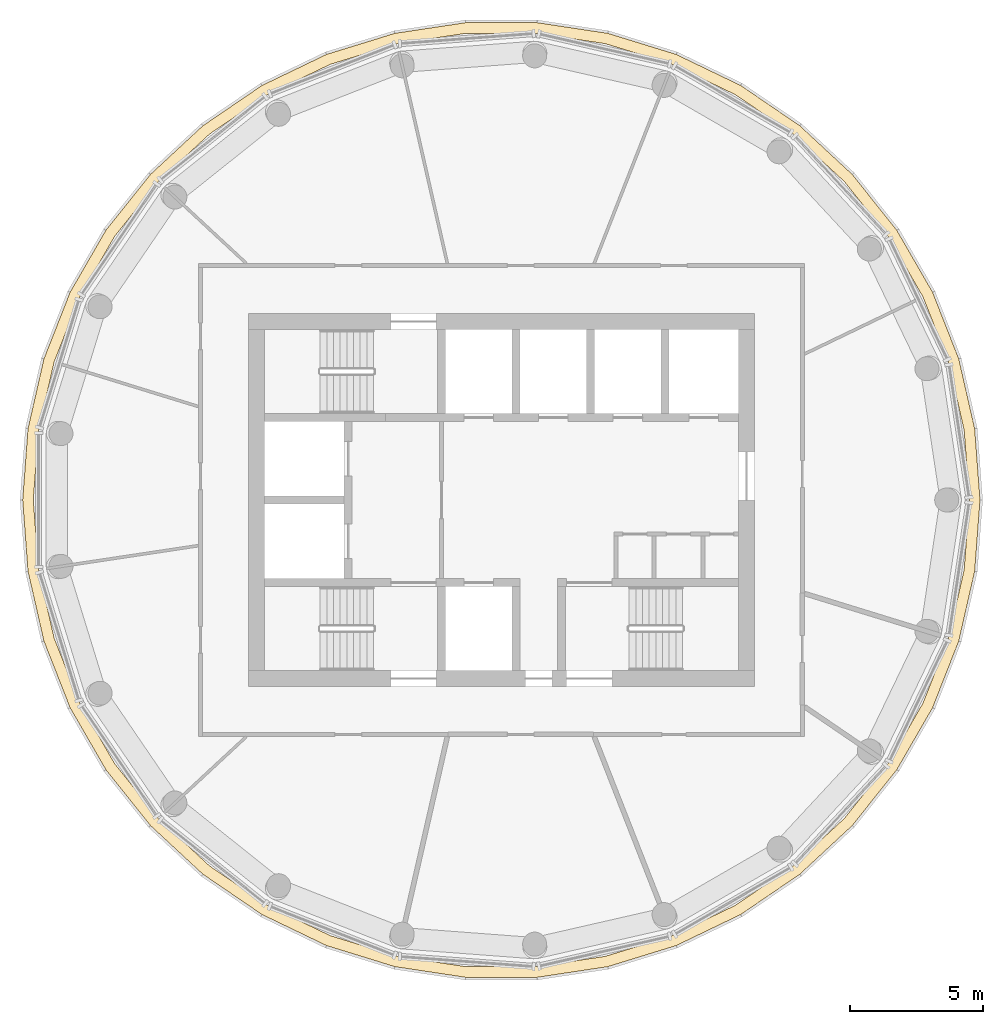
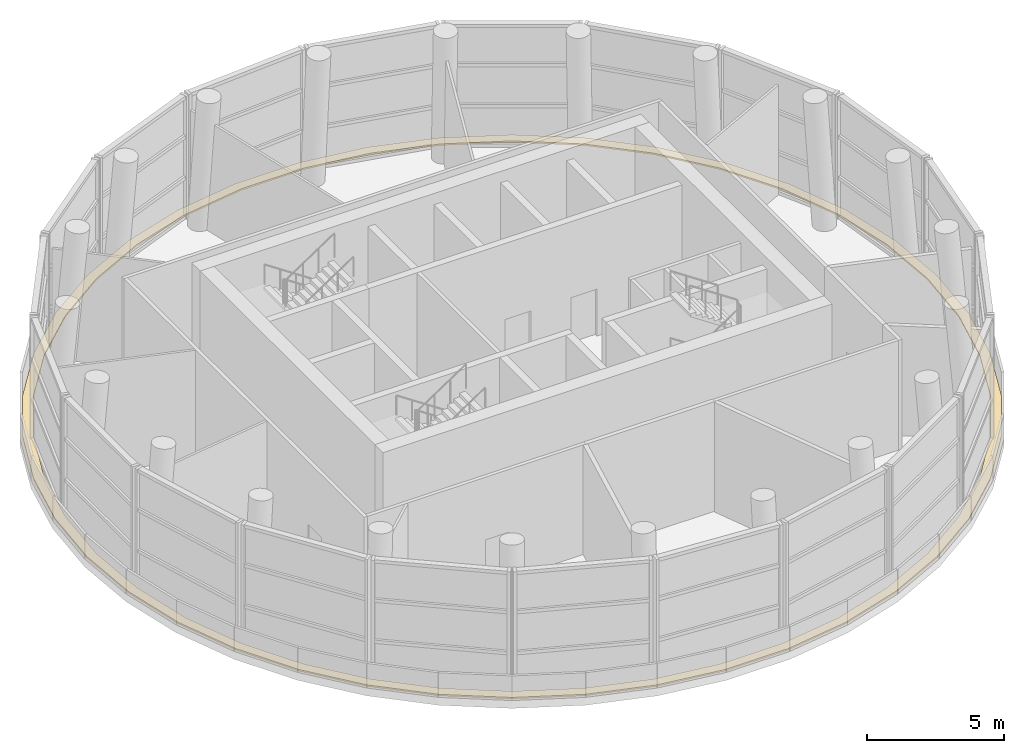
# One storey, part 10 of 10: 1 covering.
"""IFC4 building model written with IfcOpenShell, lengths in metres."""

import ifcopenshell
import ifcopenshell.guid

model = None  # the IFC model being written
_history = None  # IfcOwnerHistory: only IFC2X3 demands one
_inside = {}  # id of a spatial element -> (the spatial element, [elements in it])
_under = {}  # id of a project, library or spatial element -> (it, [spatial elements below it])
_declared = {}  # id of a project -> (the project, [libraries it declares])
_typed = {}  # id of a type object -> (the type object, [elements of that type])
_made_of = {}  # id of a material, layer set ... -> (it, [elements and type objects made of it])


def new_model(schema):
    """Start an empty IFC model of exactly this schema.

    Asked for "IFC4X3", IfcOpenShell would pick the latest addendum, in which some entities
    have other attributes; the version numbers below select the first issue.
    IFC2X3 requires an IfcOwnerHistory on every rooted entity: one is made here for all.
    """
    global model, _history
    if schema == "IFC4X3":
        model = ifcopenshell.file(schema_version=(4, 3, 0, 0))
    else:
        model = ifcopenshell.file(schema=schema)
    _inside.clear()
    _under.clear()
    _declared.clear()
    _typed.clear()
    _made_of.clear()
    _history = None
    if model.schema == "IFC2X3":
        org = make("IfcOrganization", Name="unknown")
        user = make(
            "IfcPersonAndOrganization",
            ThePerson=make("IfcPerson", FamilyName="unknown"),
            TheOrganization=org,
        )
        app = make(
            "IfcApplication",
            ApplicationDeveloper=org,
            Version="unknown",
            ApplicationFullName="unknown",
            ApplicationIdentifier="unknown",
        )
        _history = make(
            "IfcOwnerHistory",
            OwningUser=user,
            OwningApplication=app,
            ChangeAction="ADDED",
            CreationDate=0,
        )
    return model


def make(cls, **values):
    """One entity of the class cls with the attributes given. An attribute that is None is left unset."""
    return model.create_entity(
        cls, **{name: value for name, value in values.items() if value is not None}
    )


def rooted(cls, **values):
    """An entity with a GlobalId (a new one), such as an element, a storey or a relation."""
    return make(cls, GlobalId=ifcopenshell.guid.new(), OwnerHistory=_history, **values)


def si_unit(unit_type, name, prefix=None):
    """IfcSIUnit, for example si_unit("LENGTHUNIT", "METRE", prefix="MILLI")."""
    return make("IfcSIUnit", UnitType=unit_type, Prefix=prefix, Name=name)


def assignment(units):
    """IfcUnitAssignment: the units of a project."""
    return None if units is None else make("IfcUnitAssignment", Units=units)


def point(xyz):
    """IfcCartesianPoint."""
    return None if xyz is None else make("IfcCartesianPoint", Coordinates=xyz)


def direction(xyz):
    """IfcDirection."""
    return None if xyz is None else make("IfcDirection", DirectionRatios=xyz)


def frame(location, z_axis=None, x_axis=None):
    """IfcAxis2Placement3D, a coordinate frame: its origin and axes. An axis left out is left unset."""
    return make(
        "IfcAxis2Placement3D",
        Location=point(location),
        Axis=direction(z_axis),
        RefDirection=direction(x_axis),
    )


def origin():
    """The frame at (0, 0, 0) with its axes left unset."""
    return frame((0.0, 0.0, 0.0))


def place(relative_to, where):
    """IfcLocalPlacement: puts the frame where relative to a parent placement (None: the world)."""
    return make(
        "IfcLocalPlacement", PlacementRelTo=relative_to, RelativePlacement=where
    )


def context(
    kind, dimensions, precision=None, world=None, true_north=None, identifier=None
):
    """IfcGeometricRepresentationContext, for example the 3D "Model" context."""
    return make(
        "IfcGeometricRepresentationContext",
        ContextIdentifier=identifier,
        ContextType=kind,
        CoordinateSpaceDimension=dimensions,
        Precision=precision,
        WorldCoordinateSystem=world,
        TrueNorth=true_north,
    )


def subcontext(parent, identifier, kind, view, scale=None):
    """IfcGeometricRepresentationSubContext, for example "Body" below "Model"."""
    return make(
        "IfcGeometricRepresentationSubContext",
        ContextIdentifier=identifier,
        ContextType=kind,
        ParentContext=parent,
        TargetScale=scale,
        TargetView=view,
    )


def project(units=None, contexts=None):
    """IfcProject with its units and contexts."""
    return rooted(
        "IfcProject",
        Name="project",
        RepresentationContexts=contexts,
        UnitsInContext=assignment(units),
    )


def spatial(cls, under=None, at=None, **own):
    """A site, building, storey or space (cls), placed at a placement, below another one or the project."""
    s = rooted(cls, ObjectPlacement=at, **own)
    if under is not None:
        _under.setdefault(under.id(), (under, []))[1].append(s)
    return s


def polyline(points):
    """IfcPolyline through the points."""
    return make("IfcPolyline", Points=[point(p) for p in points])


def outline(outer, holes=None, kind="AREA"):
    """IfcArbitraryClosedProfileDef: a profile drawn as a closed curve; with holes, ...WithVoids."""
    if holes is None:
        return make("IfcArbitraryClosedProfileDef", ProfileType=kind, OuterCurve=outer)
    return make(
        "IfcArbitraryProfileDefWithVoids",
        ProfileType=kind,
        OuterCurve=outer,
        InnerCurves=holes,
    )


def extrude(swept, where, along, depth):
    """IfcExtrudedAreaSolid: the profile swept, set in the frame where, extruded along a direction by depth."""
    return make(
        "IfcExtrudedAreaSolid",
        SweptArea=swept,
        Position=where,
        ExtrudedDirection=direction(along),
        Depth=depth,
    )


def shape(context_of_items, identifier, shape_type, items):
    """IfcShapeRepresentation: the items that make up one representation, for example the "Body"."""
    return make(
        "IfcShapeRepresentation",
        ContextOfItems=context_of_items,
        RepresentationIdentifier=identifier,
        RepresentationType=shape_type,
        Items=items,
    )


def material(Name=None, Category=None):
    """IfcMaterial."""
    return make("IfcMaterial", Name=Name, Category=Category)


def layer(
    of_material, thickness, ventilated=None, Name=None, Category=None, Priority=None
):
    """IfcMaterialLayer: one layer of a wall or slab, of a material (None: an air gap)."""
    return make(
        "IfcMaterialLayer",
        Material=of_material,
        LayerThickness=thickness,
        IsVentilated=ventilated,
        Name=Name,
        Category=Category,
        Priority=Priority,
    )


def layer_set(layers, Name=None):
    """IfcMaterialLayerSet."""
    return make("IfcMaterialLayerSet", MaterialLayers=layers, LayerSetName=Name)


def made_of(thing, what):
    """Note that an element or type object is made of a material, layer set ...; save() writes the relation."""
    if what is not None:
        _made_of.setdefault(what.id(), (what, []))[1].append(thing)
    return thing


def type_object(cls, material=None, **own):
    """A type object (cls), such as IfcWallType, which elements share."""
    return made_of(rooted(cls, **own), material)


def element(
    cls,
    number,
    at=None,
    inside=None,
    cuts=None,
    type_object=None,
    material=None,
    context=None,
    identifier="Body",
    shape_type=None,
    held_by="IfcProductDefinitionShape",
    body=None,
    shapes=None,
    **own,
):
    """One element of the class cls, such as IfcWall. Its Tag is "e" and its number.

    at: its placement. inside: the storey or other place that contains it. cuts: it is an
    opening in that element (IfcRelVoidsElement). A single representation is given by context,
    identifier, shape_type and body (its items); several are given by shapes. held_by: the class
    of the entity that holds the representations. save() writes the other relations.
    """
    e = rooted(cls, Tag="e%d" % number, ObjectPlacement=at, **own)
    if body is not None:
        shapes = [shape(context, identifier, shape_type, body)]
    if shapes is not None:
        e.Representation = make(held_by, Representations=shapes)
    if inside is not None:
        _inside.setdefault(inside.id(), (inside, []))[1].append(e)
    if cuts is not None:
        rooted(
            "IfcRelVoidsElement", RelatingBuildingElement=cuts, RelatedOpeningElement=e
        )
    if type_object is not None:
        _typed.setdefault(type_object.id(), (type_object, []))[1].append(e)
    return made_of(e, material)


def aggregate(whole, parts):
    """IfcRelAggregates: a whole, such as a stair, and the parts it consists of."""
    return rooted("IfcRelAggregates", RelatingObject=whole, RelatedObjects=parts)


def save(model, path):
    """Write the relations noted so far, then the file.

    IfcRelAggregates (storeys below a building ...), IfcRelContainedInSpatialStructure (elements
    in a storey), IfcRelDefinesByType, IfcRelAssociatesMaterial and IfcRelDeclares: one each for
    every whole, place, type object, material and project.
    """
    for whole, parts in _under.values():
        aggregate(whole, parts)
    for where, things in _inside.values():
        rooted(
            "IfcRelContainedInSpatialStructure",
            RelatedElements=things,
            RelatingStructure=where,
        )
    for kind, things in _typed.values():
        rooted("IfcRelDefinesByType", RelatedObjects=things, RelatingType=kind)
    for what, things in _made_of.values():
        rooted("IfcRelAssociatesMaterial", RelatedObjects=things, RelatingMaterial=what)
    for by, libraries in _declared.values():
        rooted("IfcRelDeclares", RelatingContext=by, RelatedDefinitions=libraries)
    model.write(path)


model = new_model("IFC4")

# Units and contexts
model_context = context("Model", 3, precision=1e-05, world=origin(), true_north=direction((0.0, 1.0)))
body_context = subcontext(model_context, "Body", "Model", "MODEL_VIEW")
ifc_project = project(units=[si_unit("LENGTHUNIT", "METRE"), si_unit("AREAUNIT", "SQUARE_METRE"), si_unit("VOLUMEUNIT", "CUBIC_METRE"), si_unit("PLANEANGLEUNIT", "RADIAN"), si_unit("MASSUNIT", "GRAM", prefix="KILO")], contexts=[model_context])

# Site, building, storey
site_placement = place(None, origin())
site = spatial("IfcSite", under=ifc_project, at=site_placement, CompositionType="ELEMENT")
building_placement = place(site_placement, origin())
building = spatial("IfcBuilding", under=site, at=building_placement, Name="Tracery Tower", CompositionType="ELEMENT")
storey_placement = place(building_placement, frame((0.0, 0.0, 352.199951171875)))
storey = spatial("IfcBuildingStorey", under=building, at=storey_placement, Name="L90", CompositionType="ELEMENT", Elevation=352.199951171875)

# Covering
ifc_material = material(Name="Roof membrane on insulation")
ifc_layer = layer(ifc_material, 0.070068359375)
ifc_layer_set = layer_set([ifc_layer], Name="Crown ledge roof membrane 70")
covering_type = type_object("IfcCoveringType", Name="Crown ledge roof membrane 70", PredefinedType="ROOFING", material=ifc_layer_set)
covering_placement = place(storey_placement, origin())
element("IfcCovering", 1, at=covering_placement, inside=storey, type_object=covering_type, Name="Ledge roof L90", PredefinedType="ROOFING", context=body_context, shape_type="SweptSolid", body=[
    extrude(outline(polyline([(17.971923828125, 0.0), (17.771240234375, 2.6787109375), (17.173583984375, 5.29736328125), (16.192138671875, 7.797607421875), (14.84912109375, 10.123779296875), (13.17431640625, 12.22412109375), (11.205322265625, 14.051025390625), (8.986083984375, 15.564208984375), (6.56591796875, 16.7294921875), (3.9990234375, 17.521240234375), (1.343017578125, 17.921630859375), (-1.343017578125, 17.921630859375), (-3.9990234375, 17.521240234375), (-6.56591796875, 16.7294921875), (-8.986083984375, 15.564208984375), (-11.205322265625, 14.051025390625), (-13.17431640625, 12.22412109375), (-14.84912109375, 10.123779296875), (-16.192138671875, 7.797607421875), (-17.173583984375, 5.29736328125), (-17.771240234375, 2.6787109375), (-17.971923828125, 0.0), (-17.771240234375, -2.6787109375), (-17.173583984375, -5.29736328125), (-16.192138671875, -7.797607421875), (-14.84912109375, -10.123779296875), (-13.17431640625, -12.22412109375), (-11.205322265625, -14.051025390625), (-8.986083984375, -15.564208984375), (-6.56591796875, -16.7294921875), (-3.9990234375, -17.521240234375), (-1.343017578125, -17.921630859375), (1.343017578125, -17.921630859375), (3.9990234375, -17.521240234375), (6.56591796875, -16.7294921875), (8.986083984375, -15.564208984375), (11.205322265625, -14.051025390625), (13.17431640625, -12.22412109375), (14.84912109375, -10.123779296875), (16.192138671875, -7.797607421875), (17.173583984375, -5.29736328125), (17.771240234375, -2.6787109375), (17.971923828125, 0.0)]), holes=[polyline([(17.572265625, 0.0), (17.3759765625, -2.618896484375), (16.79150390625, -5.179443359375), (15.83203125, -7.624267578125), (14.518798828125, -9.898681640625), (12.88134765625, -11.9521484375), (10.9560546875, -13.738525390625), (8.7861328125, -15.218017578125), (6.419921875, -16.357421875), (3.91015625, -17.131591796875), (1.313232421875, -17.523193359375), (-1.313232421875, -17.523193359375), (-3.91015625, -17.131591796875), (-6.419921875, -16.357421875), (-8.7861328125, -15.218017578125), (-10.9560546875, -13.738525390625), (-12.88134765625, -11.9521484375), (-14.518798828125, -9.898681640625), (-15.83203125, -7.624267578125), (-16.79150390625, -5.179443359375), (-17.3759765625, -2.618896484375), (-17.572265625, 0.0), (-17.3759765625, 2.618896484375), (-16.79150390625, 5.179443359375), (-15.83203125, 7.624267578125), (-14.518798828125, 9.898681640625), (-12.88134765625, 11.9521484375), (-10.9560546875, 13.738525390625), (-8.7861328125, 15.218017578125), (-6.419921875, 16.357421875), (-3.91015625, 17.131591796875), (-1.313232421875, 17.523193359375), (1.313232421875, 17.523193359375), (3.91015625, 17.131591796875), (6.419921875, 16.357421875), (8.7861328125, 15.218017578125), (10.9560546875, 13.738525390625), (12.88134765625, 11.9521484375), (14.518798828125, 9.898681640625), (15.83203125, 7.624267578125), (16.79150390625, 5.179443359375), (17.3759765625, 2.618896484375), (17.572265625, 0.0)])]), origin(), (0.0, 0.0, 1.0), 0.070068359375),
])

save(model, "model.ifc")
